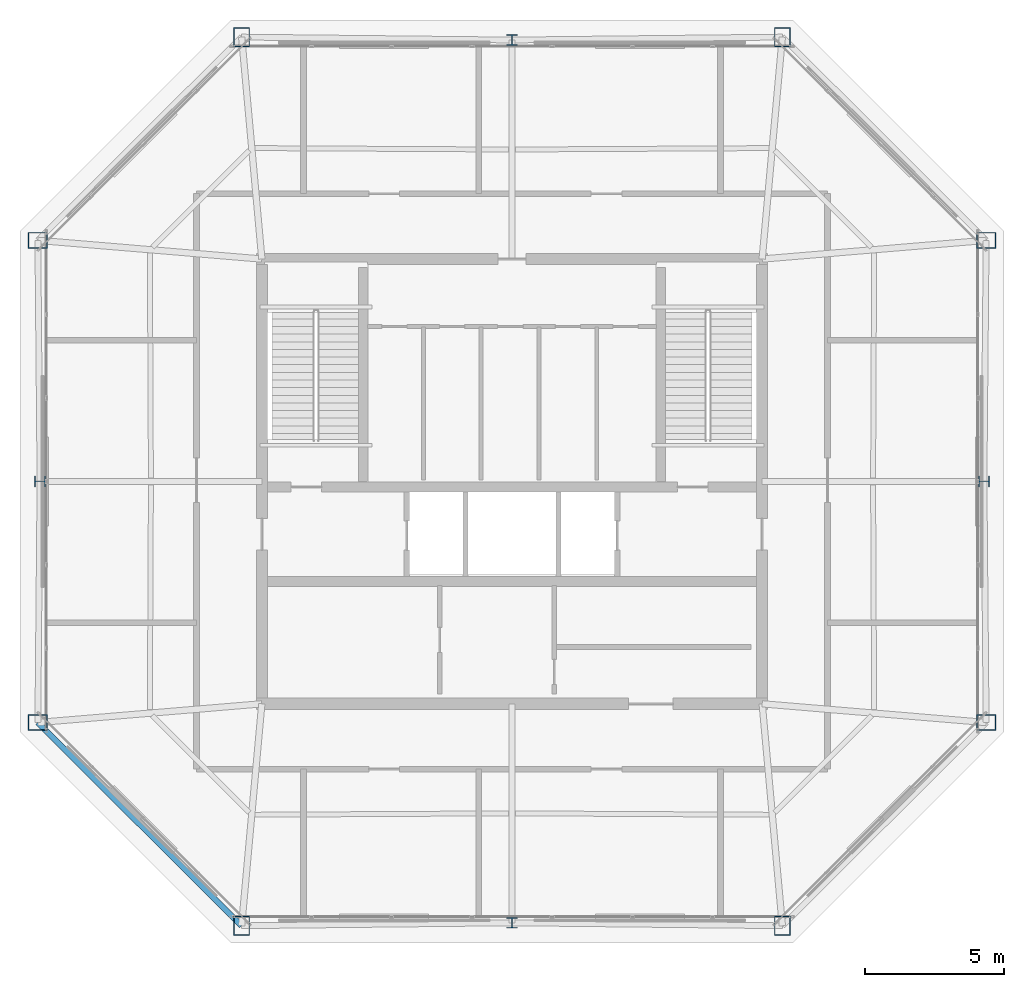
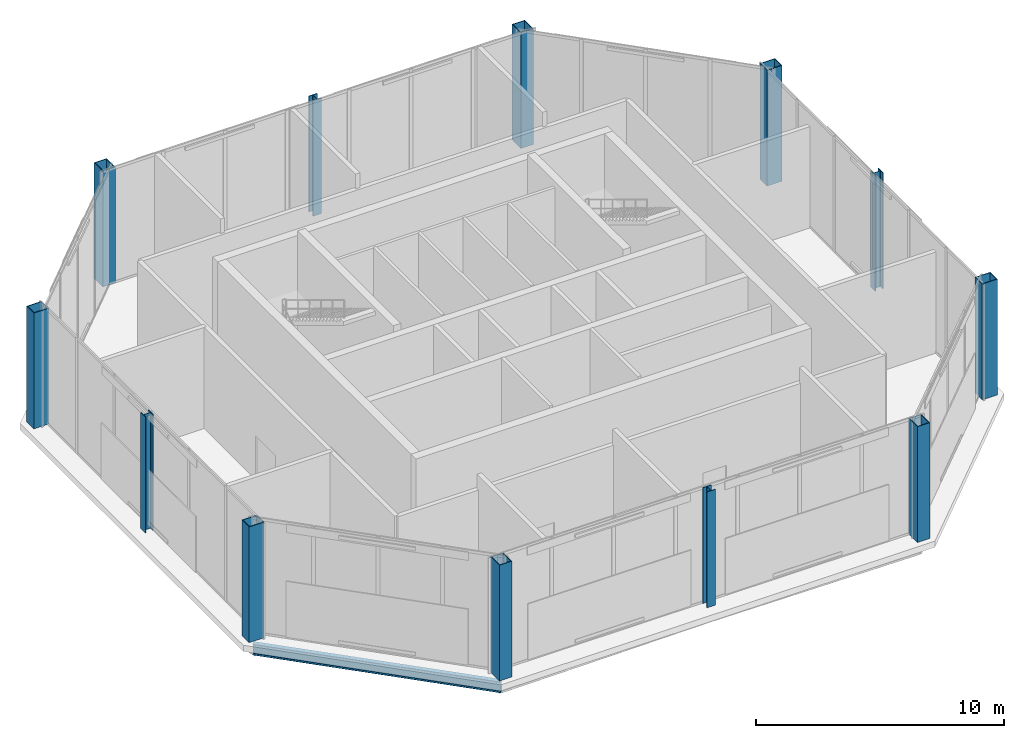
# One storey, part 1 of 20: 12 columns, 1 beam.
"""IFC4 building model written with IfcOpenShell, lengths in metres."""

from ifc_helpers import new_model, si_unit, direction, frame, origin, origin_2d, place, context, subcontext, project, spatial, hollow_rectangle, i_section, extrude, material, material_profile, profile_set, type_object, element, save


model = new_model("IFC4")

# Units and contexts
model_context = context("Model", 3, precision=1e-05, world=origin(), true_north=direction((0.0, 1.0)))
body_context = subcontext(model_context, "Body", "Model", "MODEL_VIEW")
ifc_project = project(units=[si_unit("LENGTHUNIT", "METRE"), si_unit("AREAUNIT", "SQUARE_METRE"), si_unit("VOLUMEUNIT", "CUBIC_METRE"), si_unit("PLANEANGLEUNIT", "RADIAN"), si_unit("MASSUNIT", "GRAM", prefix="KILO")], contexts=[model_context])

# Site, building, storey
site_placement = place(None, origin())
site = spatial("IfcSite", under=ifc_project, at=site_placement, CompositionType="ELEMENT")
building_placement = place(site_placement, origin())
building = spatial("IfcBuilding", under=site, at=building_placement, Name="Caelvoria Tower", CompositionType="ELEMENT")
storey_placement = place(building_placement, frame((0.0, 0.0, 284.199951171875)))
storey = spatial("IfcBuildingStorey", under=building, at=storey_placement, Name="C1", CompositionType="ELEMENT", Elevation=284.199951171875)

# Columns
ifc_material_1 = material(Name="Structural Steel ASTM A572 Gr.50", Category="steel")
ifc_material_profile_1 = material_profile(ifc_material_1, hollow_rectangle(XDim=0.580078125, YDim=0.699951171875, WallThickness=0.031982421875, at=origin_2d()), Name="Structural Steel ASTM A572 Gr.50")
ifc_profile_set_1 = profile_set([ifc_material_profile_1], Name="BOX700X580X32 - Structural Steel ASTM A572 Gr.50")
column_type_1 = type_object("IfcColumnType", Name="Mega Box Column 700x580x32", PredefinedType="COLUMN", material=ifc_profile_set_1)
for number, where, z_axis, x_axis, name in (
    (1, (36.274169921875, 16.01513671875, 0.0), (0.0, 0.0, 1.0), (1.0, 0.0, 0.0), "Perimeter Megaframe Column C1-P00"),
    (2, (55.725830078125, 16.01513671875, 0.0), (0.0, 0.0, 1.0), (1.0, 0.0, 0.0), "Perimeter Megaframe Column C1-P02"),
    (3, (63.05810546875, 23.326416015625, 0.0), (0.0, 0.0, 1.0), (0.0, 1.0, 0.0), "Perimeter Megaframe Column C1-P03"),
    (4, (63.05810546875, 40.673583984375, 0.0), (0.0, 0.0, 1.0), (0.0, 1.0, 0.0), "Perimeter Megaframe Column C1-P05"),
    (5, (55.725830078125, 47.98486328125, 0.0), (0.0, 0.0, 1.0), (1.0, 0.0, 0.0), "Perimeter Megaframe Column C1-P06"),
    (6, (36.274169921875, 47.98486328125, 0.0), (0.0, 0.0, 1.0), (1.0, 0.0, 0.0), "Perimeter Megaframe Column C1-P08"),
    (7, (28.94189453125, 40.673583984375, 0.0), (0.0, 0.0, 1.0), (0.0, 1.0, 0.0), "Perimeter Megaframe Column C1-P09"),
    (8, (28.94189453125, 23.326416015625, 0.0), (0.0, 0.0, 1.0), (0.0, 1.0, 0.0), "Perimeter Megaframe Column C1-P11"),
):
    element("IfcColumn", number, at=place(storey_placement, frame(where, z_axis=z_axis, x_axis=x_axis)), inside=storey, type_object=column_type_1, Name=name, PredefinedType="COLUMN", context=body_context, shape_type="SweptSolid", body=[
        extrude(hollow_rectangle(XDim=0.580078125, YDim=0.699951171875, WallThickness=0.031982421875, at=origin_2d()), origin(), (0.0, 0.0, 1.0), 5.697998046875),
    ])
ifc_material_2 = material(Name="Structural Steel ASTM A992 Gr.50", Category="steel")
ifc_material_profile_2 = material_profile(ifc_material_2, i_section(OverallWidth=0.39501953125, OverallDepth=0.3798828125, WebThickness=0.018798828125, FlangeThickness=0.0302734375, FilletRadius=0.02490234375, at=origin_2d()), Name="Structural Steel ASTM A992 Gr.50")
ifc_profile_set_2 = profile_set([ifc_material_profile_2], Name="W360X237 - Structural Steel ASTM A992 Gr.50")
column_type_2 = type_object("IfcColumnType", Name="Summit Frame Column W360X237", PredefinedType="COLUMN", material=ifc_profile_set_2)
for number, where, z_axis, x_axis, name in (
    (9, (46.0, 16.1201171875, 0.0), (0.0, 0.0, 1.0), (1.0, 0.0, 0.0), "Perimeter Megaframe Column C1-P01"),
    (10, (62.97998046875, 32.0, 0.0), (0.0, 0.0, 1.0), (0.0, 1.0, 0.0), "Perimeter Megaframe Column C1-P04"),
    (11, (46.0, 47.8798828125, 0.0), (0.0, 0.0, 1.0), (1.0, 0.0, 0.0), "Perimeter Megaframe Column C1-P07"),
    (12, (29.02001953125, 32.0, 0.0), (0.0, 0.0, 1.0), (0.0, 1.0, 0.0), "Perimeter Megaframe Column C1-P10"),
):
    element("IfcColumn", number, at=place(storey_placement, frame(where, z_axis=z_axis, x_axis=x_axis)), inside=storey, type_object=column_type_2, Name=name, PredefinedType="COLUMN", context=body_context, shape_type="SweptSolid", body=[
        extrude(i_section(OverallWidth=0.39501953125, OverallDepth=0.3798828125, WebThickness=0.018798828125, FlangeThickness=0.0302734375, FilletRadius=0.02490234375, at=origin_2d()), origin(), (0.0, 0.0, 1.0), 5.697998046875),
    ])

# Beam
ifc_material_profile_3 = material_profile(ifc_material_2, i_section(OverallWidth=0.208984375, OverallDepth=0.532958984375, WebThickness=0.01025390625, FlangeThickness=0.015625, FilletRadius=0.01611328125, at=origin_2d()), Name="Structural Steel ASTM A992 Gr.50")
ifc_profile_set_3 = profile_set([ifc_material_profile_3], Name="W530X92 - Structural Steel ASTM A992 Gr.50")
beam_type = type_object("IfcBeamType", Name="Upper Zone Spandrel W530X92", PredefinedType="BEAM", material=ifc_profile_set_3)
beam_placement = place(storey_placement, frame((28.94189453125, 23.326416015625, -0.56640625), z_axis=(0.708119910977, -0.706092197717, 0.0), x_axis=(0.706092197717, 0.708119910977, 0.0)))
element("IfcBeam", 13, at=beam_placement, inside=storey, type_object=beam_type, Name="Perimeter Spandrel Girder C1-11", PredefinedType="BEAM", context=body_context, shape_type="SweptSolid", body=[
    extrude(i_section(OverallWidth=0.208984375, OverallDepth=0.532958984375, WebThickness=0.01025390625, FlangeThickness=0.015625, FilletRadius=0.01611328125, at=origin_2d()), origin(), (0.0, 0.0, 1.0), 10.3544921875),
])

save(model, "model.ifc")
